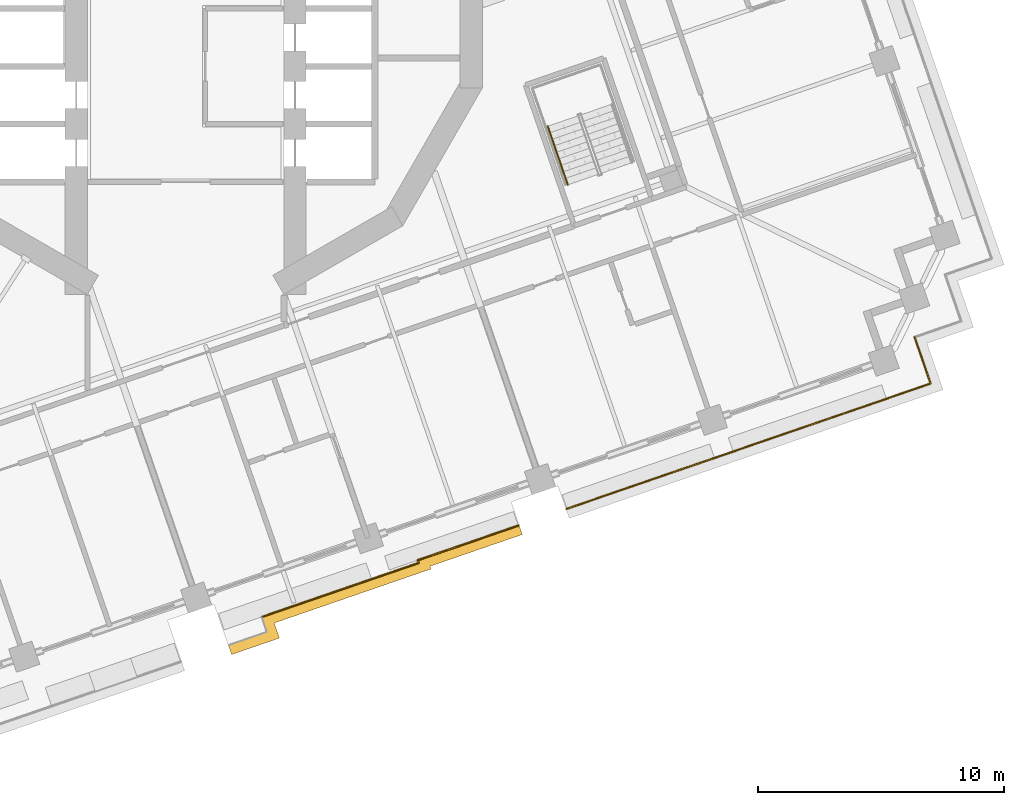
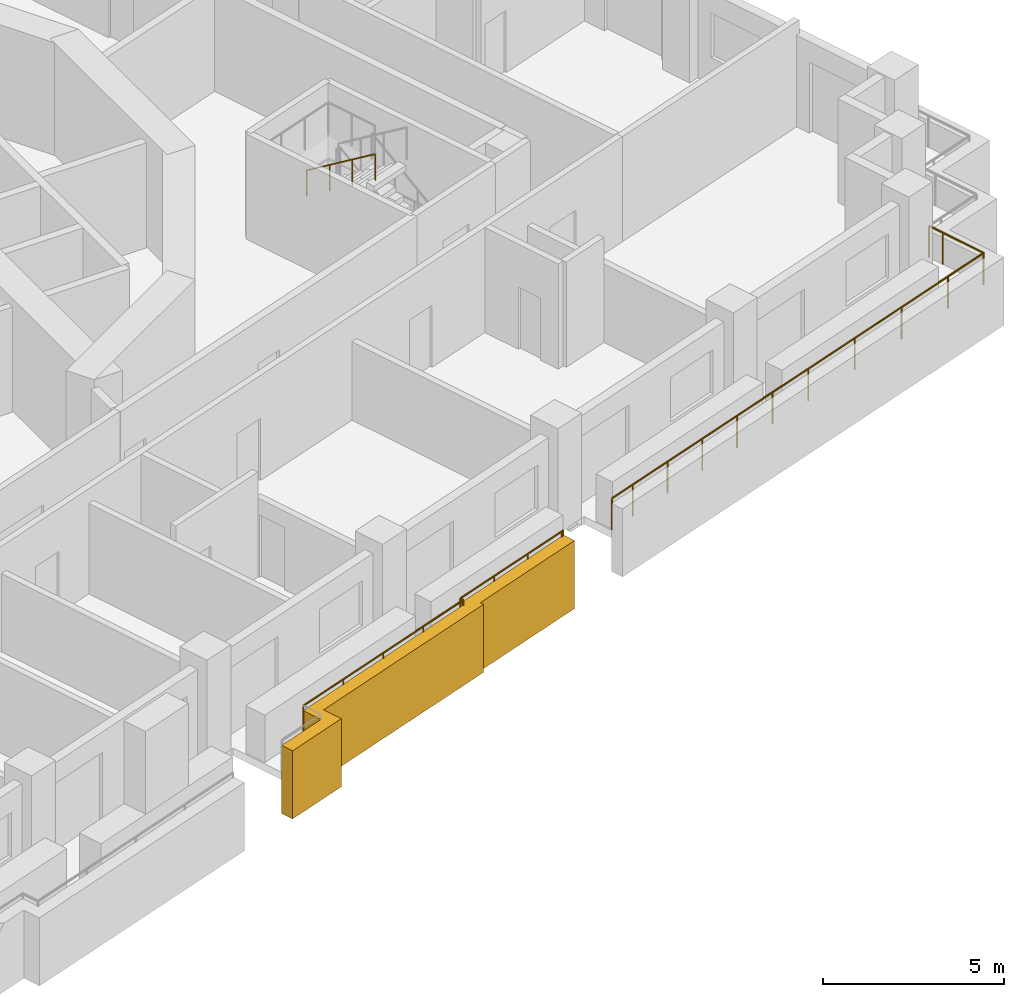
# One storey, part 14 of 19: 3 railings, 1 covering.
"""IFC4 building model written with IfcOpenShell, lengths in metres."""

from ifc_helpers import new_model, si_unit, direction, frame, origin, origin_2d, place, context, subcontext, project, spatial, polyline, circle, outline, extrude, material, type_object, element, save


model = new_model("IFC4")

# Units and contexts
model_context = context("Model", 3, precision=1e-05, world=origin(), true_north=direction((0.0, 1.0)))
body_context = subcontext(model_context, "Body", "Model", "MODEL_VIEW")
ifc_project = project(units=[si_unit("LENGTHUNIT", "METRE"), si_unit("AREAUNIT", "SQUARE_METRE"), si_unit("VOLUMEUNIT", "CUBIC_METRE"), si_unit("PLANEANGLEUNIT", "RADIAN"), si_unit("MASSUNIT", "GRAM", prefix="KILO")], contexts=[model_context])

# Site, building, storey
site_placement = place(None, origin())
site = spatial("IfcSite", under=ifc_project, at=site_placement, CompositionType="ELEMENT")
building_placement = place(site_placement, origin())
building = spatial("IfcBuilding", under=site, at=building_placement, Name="Cantera Rosa Tower", CompositionType="ELEMENT")
storey_placement = place(building_placement, frame((0.0, 0.0, 123.10009765625)))
storey = spatial("IfcBuildingStorey", under=building, at=storey_placement, Name="L25", CompositionType="ELEMENT", Elevation=123.10009765625)

# Railings
ifc_material_1 = material(Name="Stainless steel and laminated glass", Category="steel")
railing_type_1 = type_object("IfcRailingType", Name="GUARD 1100", PredefinedType="BALUSTRADE", material=ifc_material_1)
railing_1_placement = place(storey_placement, frame((13.55615234375, -21.032470703125, 0.0)))
element("IfcRailing", 1, at=railing_1_placement, inside=storey, type_object=railing_type_1, Name="GUARD L25-4", PredefinedType="BALUSTRADE", context=body_context, shape_type="SweptSolid", body=[
    extrude(circle(Radius=0.030029296875, at=origin_2d()), frame((0.0, 0.0, 1.070068359375), z_axis=(-0.946220044844, -0.323523765333, 0.0), x_axis=(0.323523765333, -0.946220044844, 0.0)), (0.0, 0.0, 1.0), 0.070068359375),
    extrude(circle(Radius=0.030029296875, at=origin_2d()), frame((-0.06640625, -0.022705078125, 1.070068359375), z_axis=(-0.945512264962, -0.325586481301, 0.0), x_axis=(0.325586481301, -0.945512264962, 0.0)), (0.0, 0.0, 1.0), 4.28173828125),
    extrude(circle(Radius=0.030029296875, at=origin_2d()), frame((-4.11474609375, -1.416748046875, 1.070068359375), z_axis=(0.326117900523, -0.945329104047, 0.0), x_axis=(0.945329104047, 0.326117900523, 0.0)), (0.0, 0.0, 1.0), 0.1181640625),
    extrude(circle(Radius=0.030029296875, at=origin_2d()), frame((-4.076171875, -1.528564453125, 1.070068359375), z_axis=(-0.945519334272, -0.325565951103, 0.0), x_axis=(0.325565951103, -0.945519334272, 0.0)), (0.0, 0.0, 1.0), 6.749755859375),
    extrude(circle(Radius=0.02490234375, at=origin_2d()), origin(), (0.0, 0.0, 1.0), 1.0400390625),
    extrude(circle(Radius=0.02490234375, at=origin_2d()), frame((-0.06640625, -0.022705078125, 0.0)), (0.0, 0.0, 1.0), 1.0400390625),
    extrude(circle(Radius=0.02490234375, at=origin_2d()), frame((-1.415771484375, -0.4873046875, 0.0)), (0.0, 0.0, 1.0), 1.0400390625),
    extrude(circle(Radius=0.02490234375, at=origin_2d()), frame((-2.765380859375, -0.9521484375, 0.0)), (0.0, 0.0, 1.0), 1.0400390625),
    extrude(circle(Radius=0.02490234375, at=origin_2d()), frame((-4.11474609375, -1.416748046875, 0.0)), (0.0, 0.0, 1.0), 1.0400390625),
    extrude(circle(Radius=0.02490234375, at=origin_2d()), frame((-4.076171875, -1.528564453125, 0.0)), (0.0, 0.0, 1.0), 1.0400390625),
    extrude(circle(Radius=0.02490234375, at=origin_2d()), frame((-5.671630859375, -2.077880859375, 0.0)), (0.0, 0.0, 1.0), 1.0400390625),
    extrude(circle(Radius=0.02490234375, at=origin_2d()), frame((-7.26708984375, -2.62744140625, 0.0)), (0.0, 0.0, 1.0), 1.0400390625),
    extrude(circle(Radius=0.02490234375, at=origin_2d()), frame((-8.86279296875, -3.1767578125, 0.0)), (0.0, 0.0, 1.0), 1.0400390625),
    extrude(circle(Radius=0.02490234375, at=origin_2d()), frame((-10.458251953125, -3.72607421875, 0.0)), (0.0, 0.0, 1.0), 1.0400390625),
])
railing_2_placement = place(storey_placement, frame((29.6689453125, -13.369140625, 0.0)))
element("IfcRailing", 2, at=railing_2_placement, inside=storey, type_object=railing_type_1, Name="GUARD L25-10", PredefinedType="BALUSTRADE", context=body_context, shape_type="SweptSolid", body=[
    extrude(circle(Radius=0.030029296875, at=origin_2d()), frame((0.0, 0.0, 1.070068359375), z_axis=(0.32573481536, -0.945461173218, 0.0), x_axis=(0.945461173218, 0.32573481536, 0.0)), (0.0, 0.0, 1.0), 0.5),
    extrude(circle(Radius=0.030029296875, at=origin_2d()), frame((0.162841796875, -0.47265625, 1.070068359375), z_axis=(0.325489086777, -0.945545797087, 0.0), x_axis=(0.945545797087, 0.325489086777, 0.0)), (0.0, 0.0, 1.0), 1.500244140625),
    extrude(circle(Radius=0.030029296875, at=origin_2d()), frame((0.651123046875, -1.89111328125, 1.070068359375), z_axis=(-0.945528551438, -0.325539181077, 0.0), x_axis=(0.325539181077, -0.945528551438, 0.0)), (0.0, 0.0, 1.0), 1.5),
    extrude(circle(Radius=0.030029296875, at=origin_2d()), frame((-0.76708984375, -2.37939453125, 1.070068359375), z_axis=(-0.945517123015, -0.325572373037, 0.0), x_axis=(0.325572373037, -0.945517123015, 0.0)), (0.0, 0.0, 1.0), 5.900146484375),
    extrude(circle(Radius=0.030029296875, at=origin_2d()), frame((-6.345703125, -4.30029296875, 1.070068359375), z_axis=(-0.945528551438, -0.325539181077, 0.0), x_axis=(0.325539181077, -0.945528551438, 0.0)), (0.0, 0.0, 1.0), 2.999755859375),
    extrude(circle(Radius=0.030029296875, at=origin_2d()), frame((-9.18212890625, -5.27685546875, 1.070068359375), z_axis=(-0.945513227049, -0.325583687361, 0.0), x_axis=(0.325583687361, -0.945513227049, 0.0)), (0.0, 0.0, 1.0), 4.400146484375),
    extrude(circle(Radius=0.030029296875, at=origin_2d()), frame((-13.342529296875, -6.70947265625, 1.070068359375), z_axis=(-0.945522007901, -0.325558186158, 0.0), x_axis=(0.325558186158, -0.945522007901, 0.0)), (0.0, 0.0, 1.0), 0.869873046875),
    extrude(circle(Radius=0.02490234375, at=origin_2d()), origin(), (0.0, 0.0, 1.0), 1.0400390625),
    extrude(circle(Radius=0.02490234375, at=origin_2d()), frame((0.162841796875, -0.47265625, 0.0)), (0.0, 0.0, 1.0), 1.0400390625),
    extrude(circle(Radius=0.02490234375, at=origin_2d()), frame((0.651123046875, -1.89111328125, 0.0)), (0.0, 0.0, 1.0), 1.0400390625),
    extrude(circle(Radius=0.02490234375, at=origin_2d()), frame((-0.76708984375, -2.37939453125, 0.0)), (0.0, 0.0, 1.0), 1.0400390625),
    extrude(circle(Radius=0.02490234375, at=origin_2d()), frame((-2.626708984375, -3.019775390625, 0.0)), (0.0, 0.0, 1.0), 1.0400390625),
    extrude(circle(Radius=0.02490234375, at=origin_2d()), frame((-4.486083984375, -3.659912109375, 0.0)), (0.0, 0.0, 1.0), 1.0400390625),
    extrude(circle(Radius=0.02490234375, at=origin_2d()), frame((-6.345703125, -4.30029296875, 0.0)), (0.0, 0.0, 1.0), 1.0400390625),
    extrude(circle(Radius=0.02490234375, at=origin_2d()), frame((-7.763916015625, -4.78857421875, 0.0)), (0.0, 0.0, 1.0), 1.0400390625),
    extrude(circle(Radius=0.02490234375, at=origin_2d()), frame((-9.18212890625, -5.27685546875, 0.0)), (0.0, 0.0, 1.0), 1.0400390625),
    extrude(circle(Radius=0.02490234375, at=origin_2d()), frame((-10.56884765625, -5.75439453125, 0.0)), (0.0, 0.0, 1.0), 1.0400390625),
    extrude(circle(Radius=0.02490234375, at=origin_2d()), frame((-11.955810546875, -6.23193359375, 0.0)), (0.0, 0.0, 1.0), 1.0400390625),
    extrude(circle(Radius=0.02490234375, at=origin_2d()), frame((-13.342529296875, -6.70947265625, 0.0)), (0.0, 0.0, 1.0), 1.0400390625),
    extrude(circle(Radius=0.02490234375, at=origin_2d()), frame((-14.1650390625, -6.99267578125, 0.0)), (0.0, 0.0, 1.0), 1.0400390625),
])
ifc_material_2 = material(Name="Steel S355J2 (EN 10025-2)", Category="steel")
railing_type_2 = type_object("IfcRailingType", Name="STAIR HANDRAIL 900", PredefinedType="HANDRAIL", material=ifc_material_2)
railing_3_placement = place(storey_placement, frame((14.7353515625, -4.78857421875, 2.08984375)))
element("IfcRailing", 3, at=railing_3_placement, inside=storey, type_object=railing_type_2, Name="L25 ST-23 stair handrail 2", PredefinedType="HANDRAIL", context=body_context, shape_type="SweptSolid", body=[
    extrude(circle(Radius=0.02392578125, at=origin_2d()), frame((0.0, 0.0, 0.8759765625), z_axis=(0.269358070891, -0.782421063063, 0.561483312059), x_axis=(0.945537585866, 0.325512939397, 0.0)), (0.0, 0.0, 1.0), 3.04541015625),
    extrude(circle(Radius=0.02099609375, at=origin_2d()), origin(), (0.0, 0.0, 1.0), 0.851806640625),
    extrude(circle(Radius=0.02099609375, at=origin_2d()), frame((0.2734375, -0.794189453125, 0.570068359375)), (0.0, 0.0, 1.0), 0.851806640625),
    extrude(circle(Radius=0.02099609375, at=origin_2d()), frame((0.546875, -1.588623046875, 1.139892578125)), (0.0, 0.0, 1.0), 0.851806640625),
    extrude(circle(Radius=0.02099609375, at=origin_2d()), frame((0.8203125, -2.3828125, 1.7099609375)), (0.0, 0.0, 1.0), 0.851806640625),
])

# Covering
ifc_material_3 = material(Name="Cantera stone", Category="masonry")
covering_type = type_object("IfcCoveringType", Name="TRAY FASCIA 400", PredefinedType="CLADDING", material=ifc_material_3)
covering_placement = place(storey_placement, frame((0.0, 0.0, -1.400146484375)))
element("IfcCovering", 4, at=covering_placement, inside=storey, type_object=covering_type, Name="TRAY FASCIA L25-05", PredefinedType="CLADDING", context=body_context, shape_type="SweptSolid", body=[
    extrude(outline(polyline([(13.6201171875, -21.433349609375), (9.94970703125, -22.697265625), (9.98828125, -22.80908203125), (3.6064453125, -25.006591796875), (3.818115234375, -25.621337890625), (1.871826171875, -26.291748046875), (1.741455078125, -25.91357421875), (3.309814453125, -25.37353515625), (3.097900390625, -24.758544921875), (9.47998046875, -22.56103515625), (9.44140625, -22.44921875), (13.48974609375, -21.05517578125), (13.574951171875, -21.02587890625), (13.705078125, -21.404052734375), (13.6201171875, -21.433349609375)])), origin(), (0.0, 0.0, 1.0), 2.300048828125),
])

save(model, "model.ifc")
